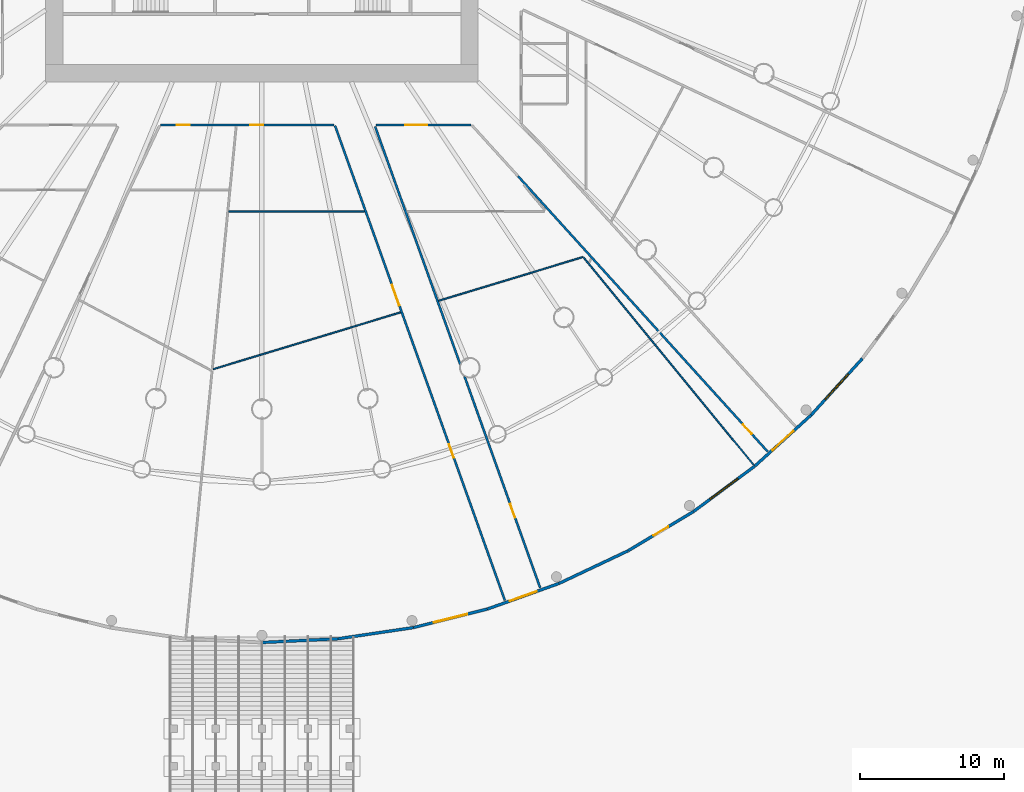
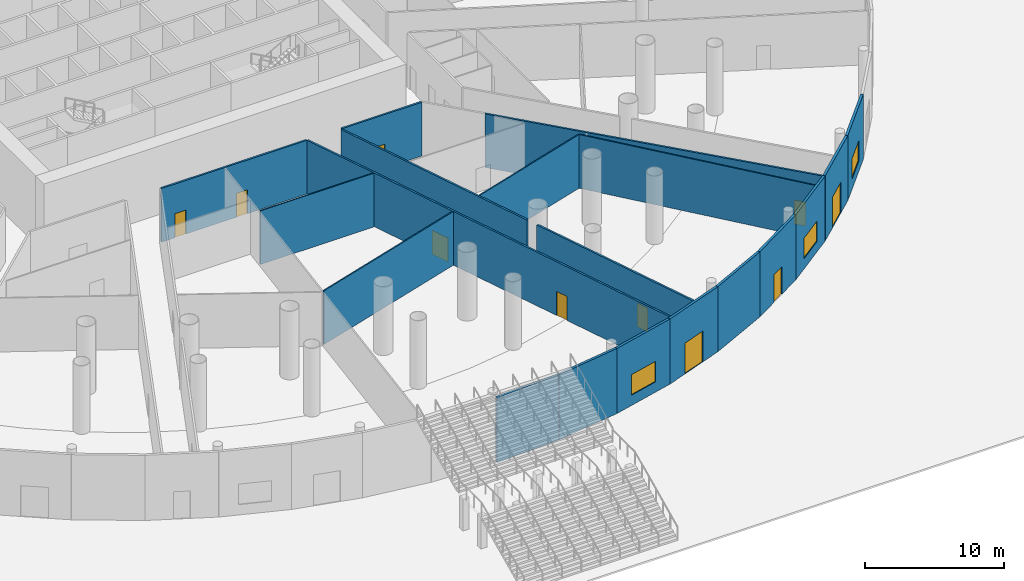
# One storey, part 15 of 33: 19 walls, 10 doors, 3 windows, 13 openings.
"""IFC4 building model written with IfcOpenShell, lengths in metres."""

from ifc_helpers import new_model, si_unit, direction, frame, frame_2d, origin, place, context, subcontext, project, spatial, rectangle, extrude, material, layer, layer_set, type_object, element, fill, save


model = new_model("IFC4")

# Units and contexts
model_context = context("Model", 3, precision=1e-05, world=origin(), true_north=direction((0.0, 1.0)))
body_context = subcontext(model_context, "Body", "Model", "MODEL_VIEW")
ifc_project = project(units=[si_unit("LENGTHUNIT", "METRE"), si_unit("AREAUNIT", "SQUARE_METRE"), si_unit("VOLUMEUNIT", "CUBIC_METRE"), si_unit("PLANEANGLEUNIT", "RADIAN"), si_unit("MASSUNIT", "GRAM", prefix="KILO")], contexts=[model_context])

# Site, building, storey
site_placement = place(None, origin())
site = spatial("IfcSite", under=ifc_project, at=site_placement, CompositionType="ELEMENT")
building_placement = place(site_placement, origin())
building = spatial("IfcBuilding", under=site, at=building_placement, Name="Corvane Civic Tower", CompositionType="ELEMENT")
storey_placement = place(building_placement, origin())
storey = spatial("IfcBuildingStorey", under=building, at=storey_placement, Name="G", CompositionType="ELEMENT", Elevation=0.0)

# Wall, opening, window
ifc_material_1 = material(Name="Limestone cladding", Category="masonry")
ifc_layer_1 = layer(ifc_material_1, 0.199951171875)
ifc_layer_set_1 = layer_set([ifc_layer_1], Name="Limestone cladding")
wall_type_1 = type_object("IfcWallType", Name="PODIUM-W-PLINTH-200", PredefinedType="SOLIDWALL", material=ifc_layer_set_1)
wall_1_placement = place(storey_placement, frame((41.661865234375, -34.197509765625, 0.0), z_axis=(0.0, 0.0, 1.0), x_axis=(-0.671548782045, -0.740960345318, 0.0)))
wall_1 = element("IfcWall", 1, at=wall_1_placement, inside=storey, type_object=wall_type_1, Name="Plinth stone wall 12B", PredefinedType="SOLIDWALL", context=body_context, shape_type="SweptSolid", body=[
    extrude(rectangle(XDim=5.279541015625, YDim=0.199951171875, at=frame_2d((2.6396484375, 0.0))), origin(), (0.0, 0.0, 1.0), 5.699951171875),
])
opening_1_placement = place(wall_1_placement, frame((1.439697265625, 0.0, 0.89990234375)))
opening_1 = element("IfcOpeningElement", 2, at=opening_1_placement, cuts=wall_1, Name="Opening EW-G-12", PredefinedType="OPENING", context=body_context, shape_type="SweptSolid", body=[
    extrude(rectangle(XDim=2.39990234375, YDim=1.800048828125, at=frame_2d((1.199951171875, 0.89990234375))), frame((0.0, 0.10986328125, 0.0), z_axis=(0.0, -1.0, 0.0), x_axis=(1.0, 0.0, 0.0)), (0.0, 0.0, 1.0), 0.219970703125),
])
ifc_material_2 = material(Name="Anodised aluminium and glass", Category="aluminium")
window_type = type_object("IfcWindowType", Name="PODIUM-WN-PLINTH-2400x1800", PartitioningType="DOUBLE_PANEL_VERTICAL", PredefinedType="WINDOW", material=ifc_material_2)
window_1_placement = place(opening_1_placement, origin())
window_1 = element("IfcWindow", 3, at=window_1_placement, inside=storey, type_object=window_type, Name="Public hall window 12", OverallHeight=1.800048828125, OverallWidth=2.39990234375, PartitioningType="SINGLE_PANEL", PredefinedType="WINDOW", context=body_context, shape_type="SweptSolid", body=[
    extrude(rectangle(XDim=2.39990234375, YDim=1.800048828125, at=frame_2d((1.199951171875, 0.89990234375))), frame((0.0, 0.030029296875, 0.0), z_axis=(0.0, -1.0, 0.0), x_axis=(1.0, 0.0, 0.0)), (0.0, 0.0, 1.0), 0.06005859375),
])
fill(opening_1, window_1)

# Wall, opening, door
wall_2_placement = place(storey_placement, frame((38.109375, -38.116455078125, 0.0), z_axis=(0.0, 0.0, 1.0), x_axis=(-0.740960345318, -0.671548782045, 0.0)))
wall_2 = element("IfcWall", 4, at=wall_2_placement, inside=storey, type_object=wall_type_1, Name="Plinth stone wall 13A", PredefinedType="SOLIDWALL", context=body_context, shape_type="SweptSolid", body=[
    extrude(rectangle(XDim=5.279541015625, YDim=0.199951171875, at=frame_2d((2.6396484375, 0.0))), origin(), (0.0, 0.0, 1.0), 5.699951171875),
])
opening_2_placement = place(wall_2_placement, frame((1.6396484375, 0.0, 0.0)))
opening_2 = element("IfcOpeningElement", 5, at=opening_2_placement, cuts=wall_2, Name="Opening ED-G-X13", PredefinedType="OPENING", context=body_context, shape_type="SweptSolid", body=[
    extrude(rectangle(XDim=2.0, YDim=2.699951171875, at=frame_2d((1.0, 1.35009765625))), frame((0.0, 0.10986328125, 0.0), z_axis=(0.0, -1.0, 0.0), x_axis=(1.0, 0.0, 0.0)), (0.0, 0.0, 1.0), 0.219970703125),
])
ifc_material_3 = material(Name="Anodised aluminium and glass", Category="aluminium")
door_type_1 = type_object("IfcDoorType", Name="PODIUM-D-EXIT-2000", OperationType="DOUBLE_DOOR_SINGLE_SWING", PredefinedType="DOOR", material=ifc_material_3)
door_1_placement = place(opening_2_placement, origin())
door_1 = element("IfcDoor", 6, at=door_1_placement, inside=storey, type_object=door_type_1, Name="Exit door 13", OperationType="DOUBLE_DOOR_SINGLE_SWING", OverallHeight=2.699951171875, OverallWidth=2.0, PredefinedType="DOOR", context=body_context, shape_type="SweptSolid", body=[
    extrude(rectangle(XDim=2.0, YDim=2.699951171875, at=frame_2d((1.0, 1.35009765625))), frame((0.0, 0.02490234375, 0.0), z_axis=(0.0, -1.0, 0.0), x_axis=(1.0, 0.0, 0.0)), (0.0, 0.0, 1.0), 0.050048828125),
])
fill(opening_2, door_1)

# Wall, opening, window
wall_3_placement = place(storey_placement, frame((34.189697265625, -41.668212890625, 0.0), z_axis=(0.0, 0.0, 1.0), x_axis=(-0.803223646903, -0.595677574746, 0.0)))
wall_3 = element("IfcWall", 7, at=wall_3_placement, inside=storey, type_object=wall_type_1, Name="Plinth stone wall 13B", PredefinedType="SOLIDWALL", context=body_context, shape_type="SweptSolid", body=[
    extrude(rectangle(XDim=5.279296875, YDim=0.199951171875, at=frame_2d((2.6396484375, 0.0))), origin(), (0.0, 0.0, 1.0), 5.699951171875),
])
opening_3_placement = place(wall_3_placement, frame((1.439697265625, 0.0, 0.89990234375)))
opening_3 = element("IfcOpeningElement", 8, at=opening_3_placement, cuts=wall_3, Name="Opening EW-G-13", PredefinedType="OPENING", context=body_context, shape_type="SweptSolid", body=[
    extrude(rectangle(XDim=2.39990234375, YDim=1.800048828125, at=frame_2d((1.199951171875, 0.89990234375))), frame((0.0, 0.10986328125, 0.0), z_axis=(0.0, -1.0, 0.0), x_axis=(1.0, 0.0, 0.0)), (0.0, 0.0, 1.0), 0.219970703125),
])
window_2_placement = place(opening_3_placement, origin())
window_2 = element("IfcWindow", 9, at=window_2_placement, inside=storey, type_object=window_type, Name="Public hall window 13", OverallHeight=1.800048828125, OverallWidth=2.39990234375, PartitioningType="SINGLE_PANEL", PredefinedType="WINDOW", context=body_context, shape_type="SweptSolid", body=[
    extrude(rectangle(XDim=2.39990234375, YDim=1.800048828125, at=frame_2d((1.199951171875, 0.89990234375))), frame((0.0, 0.030029296875, 0.0), z_axis=(0.0, -1.0, 0.0), x_axis=(1.0, 0.0, 0.0)), (0.0, 0.0, 1.0), 0.06005859375),
])
fill(opening_3, window_2)

# Wall, opening, door
wall_4_placement = place(storey_placement, frame((29.940673828125, -44.81884765625, 0.0), z_axis=(0.0, 0.0, 1.0), x_axis=(-0.857721349929, -0.514114856697, 0.0)))
wall_4 = element("IfcWall", 10, at=wall_4_placement, inside=storey, type_object=wall_type_1, Name="Plinth stone wall 14A", PredefinedType="SOLIDWALL", context=body_context, shape_type="SweptSolid", body=[
    extrude(rectangle(XDim=5.279296875, YDim=0.199951171875, at=frame_2d((2.6396484375, 0.0))), origin(), (0.0, 0.0, 1.0), 5.699951171875),
])
opening_4_placement = place(wall_4_placement, frame((2.039794921875, 0.0, 0.0)))
opening_4 = element("IfcOpeningElement", 11, at=opening_4_placement, cuts=wall_4, Name="Opening ED-G-S14", PredefinedType="OPENING", context=body_context, shape_type="SweptSolid", body=[
    extrude(rectangle(XDim=1.199951171875, YDim=2.39990234375, at=frame_2d((0.60009765625, 1.199951171875))), frame((0.0, 0.10986328125, 0.0), z_axis=(0.0, -1.0, 0.0), x_axis=(1.0, 0.0, 0.0)), (0.0, 0.0, 1.0), 0.219970703125),
])
ifc_material_4 = material(Name="Galvanised steel", Category="steel")
door_type_2 = type_object("IfcDoorType", Name="PODIUM-D-SERVICE-1200", OperationType="SINGLE_SWING_LEFT", PredefinedType="DOOR", material=ifc_material_4)
door_2_placement = place(opening_4_placement, origin())
door_2 = element("IfcDoor", 12, at=door_2_placement, inside=storey, type_object=door_type_2, Name="Service door 14", OperationType="SINGLE_SWING_LEFT", OverallHeight=2.39990234375, OverallWidth=1.199951171875, PredefinedType="DOOR", context=body_context, shape_type="SweptSolid", body=[
    extrude(rectangle(XDim=1.199951171875, YDim=2.39990234375, at=frame_2d((0.60009765625, 1.199951171875))), frame((0.0, 0.02490234375, 0.0), z_axis=(0.0, -1.0, 0.0), x_axis=(1.0, 0.0, 0.0)), (0.0, 0.0, 1.0), 0.050048828125),
])
fill(opening_4, door_2)

# Wall
wall_5_placement = place(storey_placement, frame((25.403564453125, -47.53759765625, 0.0), z_axis=(0.0, 0.0, 1.0), x_axis=(-0.903998505851, -0.427535614211, 0.0)))
element("IfcWall", 13, at=wall_5_placement, inside=storey, type_object=wall_type_1, Name="Plinth stone wall 14B", PredefinedType="SOLIDWALL", context=body_context, shape_type="SweptSolid", body=[
    extrude(rectangle(XDim=5.279296875, YDim=0.199951171875, at=frame_2d((2.6396484375, 0.0))), origin(), (0.0, 0.0, 1.0), 5.699951171875),
])

# Wall, opening, door
wall_6_placement = place(storey_placement, frame((20.62158203125, -49.798583984375, 0.0), z_axis=(0.0, 0.0, 1.0), x_axis=(-0.941528288028, -0.336933944331, 0.0)))
wall_6 = element("IfcWall", 14, at=wall_6_placement, inside=storey, type_object=wall_type_1, Name="Plinth stone wall 15A", PredefinedType="SOLIDWALL", context=body_context, shape_type="SweptSolid", body=[
    extrude(rectangle(XDim=5.279296875, YDim=0.199951171875, at=frame_2d((2.6396484375, 0.0))), origin(), (0.0, 0.0, 1.0), 5.699951171875),
])
opening_5_placement = place(wall_6_placement, frame((1.6396484375, 0.0, 0.0)))
opening_5 = element("IfcOpeningElement", 15, at=opening_5_placement, cuts=wall_6, Name="Opening ED-G-X15", PredefinedType="OPENING", context=body_context, shape_type="SweptSolid", body=[
    extrude(rectangle(XDim=2.0, YDim=2.699951171875, at=frame_2d((1.0, 1.35009765625))), frame((0.0, 0.10986328125, 0.0), z_axis=(0.0, -1.0, 0.0), x_axis=(1.0, 0.0, 0.0)), (0.0, 0.0, 1.0), 0.219970703125),
])
door_3_placement = place(opening_5_placement, origin())
door_3 = element("IfcDoor", 16, at=door_3_placement, inside=storey, type_object=door_type_1, Name="Exit door 15", OperationType="DOUBLE_DOOR_SINGLE_SWING", OverallHeight=2.699951171875, OverallWidth=2.0, PredefinedType="DOOR", context=body_context, shape_type="SweptSolid", body=[
    extrude(rectangle(XDim=2.0, YDim=2.699951171875, at=frame_2d((1.0, 1.35009765625))), frame((0.0, 0.02490234375, 0.0), z_axis=(0.0, -1.0, 0.0), x_axis=(1.0, 0.0, 0.0)), (0.0, 0.0, 1.0), 0.050048828125),
])
fill(opening_5, door_3)

# Wall, opening, window
wall_7_placement = place(storey_placement, frame((15.641357421875, -51.580078125, 0.0), z_axis=(0.0, 0.0, 1.0), x_axis=(-0.970022690602, -0.243014361132, 0.0)))
wall_7 = element("IfcWall", 17, at=wall_7_placement, inside=storey, type_object=wall_type_1, Name="Plinth stone wall 15B", PredefinedType="SOLIDWALL", context=body_context, shape_type="SweptSolid", body=[
    extrude(rectangle(XDim=5.279296875, YDim=0.199951171875, at=frame_2d((2.6396484375, 0.0))), origin(), (0.0, 0.0, 1.0), 5.699951171875),
])
opening_6_placement = place(wall_7_placement, frame((1.439697265625, 0.0, 0.89990234375)))
opening_6 = element("IfcOpeningElement", 18, at=opening_6_placement, cuts=wall_7, Name="Opening EW-G-15", PredefinedType="OPENING", context=body_context, shape_type="SweptSolid", body=[
    extrude(rectangle(XDim=2.39990234375, YDim=1.800048828125, at=frame_2d((1.199951171875, 0.89990234375))), frame((0.0, 0.10986328125, 0.0), z_axis=(0.0, -1.0, 0.0), x_axis=(1.0, 0.0, 0.0)), (0.0, 0.0, 1.0), 0.219970703125),
])
window_3_placement = place(opening_6_placement, origin())
window_3 = element("IfcWindow", 19, at=window_3_placement, inside=storey, type_object=window_type, Name="Public hall window 15", OverallHeight=1.800048828125, OverallWidth=2.39990234375, PartitioningType="SINGLE_PANEL", PredefinedType="WINDOW", context=body_context, shape_type="SweptSolid", body=[
    extrude(rectangle(XDim=2.39990234375, YDim=1.800048828125, at=frame_2d((1.199951171875, 0.89990234375))), frame((0.0, 0.030029296875, 0.0), z_axis=(0.0, -1.0, 0.0), x_axis=(1.0, 0.0, 0.0)), (0.0, 0.0, 1.0), 0.06005859375),
])
fill(opening_6, window_3)

# Walls
for number, where, z_axis, x_axis, name in (
    (20, (10.51025390625, -52.864990234375, 0.0), (0.0, 0.0, 1.0), (-0.989175884212, -0.146734692875, 0.0), "Plinth stone wall 16A"),
    (21, (5.278076171875, -53.640625, 0.0), (0.0, 0.0, 1.0), (-0.998795550715, -0.0490657505, 0.0), "Plinth stone wall 16B"),
):
    element("IfcWall", number, at=place(storey_placement, frame(where, z_axis=z_axis, x_axis=x_axis)), inside=storey, type_object=wall_type_1, Name=name, PredefinedType="SOLIDWALL", context=body_context, shape_type="SweptSolid", body=[
        extrude(rectangle(XDim=5.279296875, YDim=0.199951171875, at=frame_2d((2.6396484375, 0.0))), origin(), (0.0, 0.0, 1.0), 5.699951171875),
    ])
ifc_material_5 = material(Name="Plasterboard")
ifc_layer_2 = layer(ifc_material_5, 0.10009765625)
ifc_layer_set_2 = layer_set([ifc_layer_2], Name="Plasterboard")
wall_type_2 = type_object("IfcWallType", Name="Partition 100 plasterboard on studs", PredefinedType="PARTITIONING", material=ifc_layer_set_2)
wall_8_placement = place(storey_placement, frame((22.305908203125, -27.1796875, 0.0), z_axis=(0.0, 0.0, 1.0), x_axis=(0.634389263916, -0.773013752677, 0.0)))
element("IfcWall", 22, at=wall_8_placement, inside=storey, type_object=wall_type_2, Name="Partition G.006", PredefinedType="PARTITIONING", context=body_context, shape_type="SweptSolid", body=[
    extrude(rectangle(XDim=18.589111328125, YDim=0.10009765625, at=frame_2d((9.29443359375, 0.0))), origin(), (0.0, 0.0, 1.0), 4.699951171875),
])
wall_9_placement = place(storey_placement, frame((-3.37158203125, -34.936767578125, 0.0), z_axis=(0.0, 0.0, 1.0), x_axis=(0.956937743328, 0.290293223127, 0.0)))
element("IfcWall", 23, at=wall_9_placement, inside=storey, type_object=wall_type_2, Name="Partition G.012", PredefinedType="PARTITIONING", context=body_context, shape_type="SweptSolid", body=[
    extrude(rectangle(XDim=13.583251953125, YDim=0.10009765625, at=frame_2d((6.79150390625, 0.0))), origin(), (0.0, 0.0, 1.0), 4.699951171875),
])
wall_10_placement = place(storey_placement, frame((12.26611328125, -30.193115234375, 0.0), z_axis=(0.0, 0.0, 1.0), x_axis=(0.956942909737, 0.290276191762, 0.0)))
element("IfcWall", 24, at=wall_10_placement, inside=storey, type_object=wall_type_2, Name="Partition G.017", PredefinedType="PARTITIONING", context=body_context, shape_type="SweptSolid", body=[
    extrude(rectangle(XDim=10.435791015625, YDim=0.10009765625, at=frame_2d((5.2177734375, 0.0))), origin(), (0.0, 0.0, 1.0), 4.699951171875),
])
wall_11_placement = place(storey_placement, frame((-2.30859375, -24.0, 0.0), z_axis=(0.0, 0.0, 1.0), x_axis=(1.0, 0.0, 0.0)))
element("IfcWall", 25, at=wall_11_placement, inside=storey, type_object=wall_type_2, Name="Partition G.023", PredefinedType="PARTITIONING", context=body_context, shape_type="SweptSolid", body=[
    extrude(rectangle(XDim=9.417724609375, YDim=0.10009765625, at=frame_2d((4.708984375, 0.0))), origin(), (0.0, 0.0, 1.0), 4.699951171875),
])

# Wall, openings, doors
ifc_material_6 = material(Name="Plasterboard")
ifc_layer_3 = layer(ifc_material_6, 0.14990234375)
ifc_layer_set_3 = layer_set([ifc_layer_3], Name="Plasterboard")
wall_type_3 = type_object("IfcWallType", Name="Tenancy wall 150 EI 60", PredefinedType="PARTITIONING", material=ifc_layer_set_3)
wall_12_placement = place(storey_placement, frame((5.07763671875, -18.0498046875, 0.0), z_axis=(0.0, 0.0, 1.0), x_axis=(0.336889449842, -0.941544209576, 0.0)))
wall_12 = element("IfcWall", 26, at=wall_12_placement, inside=storey, type_object=wall_type_3, Name="Partition G.002", PredefinedType="PARTITIONING", context=body_context, shape_type="SweptSolid", body=[
    extrude(rectangle(XDim=34.97998046875, YDim=0.14990234375, at=frame_2d((17.489990234375, 0.0))), origin(), (0.0, 0.0, 1.0), 4.699951171875),
])
opening_7_placement = place(wall_12_placement, frame((23.458251953125, 0.0, 0.0)))
opening_7 = element("IfcOpeningElement", 27, at=opening_7_placement, cuts=wall_12, Name="Opening G.020", PredefinedType="OPENING", context=body_context, shape_type="SweptSolid", body=[
    extrude(rectangle(XDim=1.0, YDim=2.10009765625, at=frame_2d((0.5, 1.050048828125))), frame((0.0, 0.0849609375, 0.0), z_axis=(0.0, -1.0, 0.0), x_axis=(1.0, 0.0, 0.0)), (0.0, 0.0, 1.0), 0.169921875),
])
opening_8_placement = place(wall_12_placement, frame((11.735107421875, 0.0, 0.0)))
opening_8 = element("IfcOpeningElement", 28, at=opening_8_placement, cuts=wall_12, Name="Opening G.022", PredefinedType="OPENING", context=body_context, shape_type="SweptSolid", body=[
    extrude(rectangle(XDim=1.5, YDim=2.10009765625, at=frame_2d((0.75, 1.050048828125))), frame((0.0, 0.0849609375, 0.0), z_axis=(0.0, -1.0, 0.0), x_axis=(1.0, 0.0, 0.0)), (0.0, 0.0, 1.0), 0.169921875),
])
ifc_material_7 = material(Name="Steel and timber", Category="steel")
door_type_3 = type_object("IfcDoorType", Name="Fire door FD30S 1000", OperationType="NOTDEFINED", PredefinedType="DOOR", material=ifc_material_7)
door_4_placement = place(opening_7_placement, frame((1.0, 0.0, 0.0), z_axis=(0.0, 0.0, 1.0), x_axis=(-1.0, 0.0, 0.0)))
door_4 = element("IfcDoor", 29, at=door_4_placement, inside=storey, type_object=door_type_3, Name="Door G.020", OperationType="SINGLE_SWING_LEFT", OverallHeight=2.10009765625, OverallWidth=1.0, PredefinedType="DOOR", context=body_context, shape_type="SweptSolid", body=[
    extrude(rectangle(XDim=1.0, YDim=2.10009765625, at=frame_2d((0.5, 1.050048828125))), frame((0.0, 0.02490234375, 0.0), z_axis=(0.0, -1.0, 0.0), x_axis=(1.0, 0.0, 0.0)), (0.0, 0.0, 1.0), 0.050048828125),
])
fill(opening_7, door_4)
ifc_material_8 = material(Name="Steel and timber", Category="steel")
door_type_4 = type_object("IfcDoorType", Name="Fire door FD60 double 1500", OperationType="NOTDEFINED", PredefinedType="DOOR", material=ifc_material_8)
door_5_placement = place(opening_8_placement, frame((1.5, 0.0, 0.0), z_axis=(0.0, 0.0, 1.0), x_axis=(-1.0, 0.0, 0.0)))
door_5 = element("IfcDoor", 30, at=door_5_placement, inside=storey, type_object=door_type_4, Name="Door G.022", OperationType="DOUBLE_DOOR_SINGLE_SWING", OverallHeight=2.10009765625, OverallWidth=1.5, PredefinedType="DOOR", context=body_context, shape_type="SweptSolid", body=[
    extrude(rectangle(XDim=1.5, YDim=2.10009765625, at=frame_2d((0.75, 1.050048828125))), frame((0.0, 0.02490234375, 0.0), z_axis=(0.0, -1.0, 0.0), x_axis=(1.0, 0.0, 0.0)), (0.0, 0.0, 1.0), 0.050048828125),
])
fill(opening_8, door_5)

# Wall, opening, door
wall_13_placement = place(storey_placement, frame((14.060302734375, -35.437255859375, 0.0), z_axis=(0.0, 0.0, 1.0), x_axis=(0.336899092264, -0.941540759411, 0.0)))
wall_13 = element("IfcWall", 31, at=wall_13_placement, inside=storey, type_object=wall_type_3, Name="Partition G.003", PredefinedType="PARTITIONING", context=body_context, shape_type="SweptSolid", body=[
    extrude(rectangle(XDim=15.58251953125, YDim=0.14990234375, at=frame_2d((7.791259765625, 0.0))), origin(), (0.0, 0.0, 1.0), 4.699951171875),
])
opening_9_placement = place(wall_13_placement, frame((9.405517578125, 0.0, 0.0)))
opening_9 = element("IfcOpeningElement", 32, at=opening_9_placement, cuts=wall_13, Name="Opening G.021", PredefinedType="OPENING", context=body_context, shape_type="SweptSolid", body=[
    extrude(rectangle(XDim=1.0, YDim=2.10009765625, at=frame_2d((0.5, 1.050048828125))), frame((0.0, 0.0849609375, 0.0), z_axis=(0.0, -1.0, 0.0), x_axis=(1.0, 0.0, 0.0)), (0.0, 0.0, 1.0), 0.169921875),
])
door_6_placement = place(opening_9_placement, origin())
door_6 = element("IfcDoor", 33, at=door_6_placement, inside=storey, type_object=door_type_3, Name="Door G.021", OperationType="SINGLE_SWING_RIGHT", OverallHeight=2.10009765625, OverallWidth=1.0, PredefinedType="DOOR", context=body_context, shape_type="SweptSolid", body=[
    extrude(rectangle(XDim=1.0, YDim=2.10009765625, at=frame_2d((0.5, 1.050048828125))), frame((0.0, 0.02490234375, 0.0), z_axis=(0.0, -1.0, 0.0), x_axis=(1.0, 0.0, 0.0)), (0.0, 0.0, 1.0), 0.050048828125),
])
fill(opening_9, door_6)

wall_14_placement = place(storey_placement, frame((17.768310546875, -21.5400390625, 0.0), z_axis=(0.0, 0.0, 1.0), x_axis=(0.671559214453, -0.740950890062, 0.0)))
wall_14 = element("IfcWall", 34, at=wall_14_placement, inside=storey, type_object=wall_type_3, Name="Partition G.007", PredefinedType="PARTITIONING", context=body_context, shape_type="SweptSolid", body=[
    extrude(rectangle(XDim=25.792724609375, YDim=0.14990234375, at=frame_2d((12.896484375, 0.0))), origin(), (0.0, 0.0, 1.0), 4.699951171875),
])
opening_10_placement = place(wall_14_placement, frame((23.25146484375, 0.0, 0.0)))
opening_10 = element("IfcOpeningElement", 35, at=opening_10_placement, cuts=wall_14, Name="Opening G.011", PredefinedType="OPENING", context=body_context, shape_type="SweptSolid", body=[
    extrude(rectangle(XDim=0.89990234375, YDim=2.10009765625, at=frame_2d((0.449951171875, 1.050048828125))), frame((0.0, 0.0849609375, 0.0), z_axis=(0.0, -1.0, 0.0), x_axis=(1.0, 0.0, 0.0)), (0.0, 0.0, 1.0), 0.169921875),
])
ifc_material_9 = material(Name="Steel and timber", Category="steel")
door_type_5 = type_object("IfcDoorType", Name="Fire door FD30S 900", OperationType="NOTDEFINED", PredefinedType="DOOR", material=ifc_material_9)
door_7_placement = place(opening_10_placement, frame((0.89990234375, 0.0, 0.0), z_axis=(0.0, 0.0, 1.0), x_axis=(-1.0, 0.0, 0.0)))
door_7 = element("IfcDoor", 36, at=door_7_placement, inside=storey, type_object=door_type_5, Name="Door G.011", OperationType="SINGLE_SWING_LEFT", OverallHeight=2.10009765625, OverallWidth=0.89990234375, PredefinedType="DOOR", context=body_context, shape_type="SweptSolid", body=[
    extrude(rectangle(XDim=0.89990234375, YDim=2.10009765625, at=frame_2d((0.449951171875, 1.050048828125))), frame((0.0, 0.02490234375, 0.0), z_axis=(0.0, -1.0, 0.0), x_axis=(1.0, 0.0, 0.0)), (0.0, 0.0, 1.0), 0.050048828125),
])
fill(opening_10, door_7)

# Wall
wall_15_placement = place(storey_placement, frame((7.857177734375, -18.100341796875, 0.0), z_axis=(0.0, 0.0, 1.0), x_axis=(0.336881959449, -0.941546889644, 0.0)))
element("IfcWall", 37, at=wall_15_placement, inside=storey, type_object=wall_type_3, Name="Partition G.014", PredefinedType="PARTITIONING", context=body_context, shape_type="SweptSolid", body=[
    extrude(rectangle(XDim=17.517578125, YDim=0.14990234375, at=frame_2d((8.7587890625, 0.0))), origin(), (0.0, 0.0, 1.0), 4.699951171875),
])

# Wall, openings, doors
wall_16_placement = place(storey_placement, frame((-7.02783203125, -18.0, 0.0), z_axis=(0.0, 0.0, 1.0), x_axis=(1.0, 0.0, 0.0)))
wall_16 = element("IfcWall", 38, at=wall_16_placement, inside=storey, type_object=wall_type_3, Name="Partition G.036", PredefinedType="PARTITIONING", context=body_context, shape_type="SweptSolid", body=[
    extrude(rectangle(XDim=12.034912109375, YDim=0.14990234375, at=frame_2d((6.017578125, 0.0))), origin(), (0.0, 0.0, 1.0), 4.699951171875),
])
opening_11_placement = place(wall_16_placement, frame((6.214111328125, 0.0, 0.0)))
opening_11 = element("IfcOpeningElement", 39, at=opening_11_placement, cuts=wall_16, Name="Opening G.025", PredefinedType="OPENING", context=body_context, shape_type="SweptSolid", body=[
    extrude(rectangle(XDim=0.89990234375, YDim=2.10009765625, at=frame_2d((0.449951171875, 1.050048828125))), frame((0.0, 0.0849609375, 0.0), z_axis=(0.0, -1.0, 0.0), x_axis=(1.0, 0.0, 0.0)), (0.0, 0.0, 1.0), 0.169921875),
])
opening_12_placement = place(wall_16_placement, frame((1.11328125, 0.0, 0.0)))
opening_12 = element("IfcOpeningElement", 40, at=opening_12_placement, cuts=wall_16, Name="Opening G.032", PredefinedType="OPENING", context=body_context, shape_type="SweptSolid", body=[
    extrude(rectangle(XDim=0.89990234375, YDim=2.10009765625, at=frame_2d((0.449951171875, 1.050048828125))), frame((0.0, 0.0849609375, 0.0), z_axis=(0.0, -1.0, 0.0), x_axis=(1.0, 0.0, 0.0)), (0.0, 0.0, 1.0), 0.169921875),
])
door_8_placement = place(opening_11_placement, frame((0.89990234375, 0.0, 0.0), z_axis=(0.0, 0.0, 1.0), x_axis=(-1.0, 0.0, 0.0)))
door_8 = element("IfcDoor", 41, at=door_8_placement, inside=storey, type_object=door_type_5, Name="Door G.025", OperationType="SINGLE_SWING_LEFT", OverallHeight=2.10009765625, OverallWidth=0.89990234375, PredefinedType="DOOR", context=body_context, shape_type="SweptSolid", body=[
    extrude(rectangle(XDim=0.89990234375, YDim=2.10009765625, at=frame_2d((0.449951171875, 1.050048828125))), frame((0.0, 0.02490234375, 0.0), z_axis=(0.0, -1.0, 0.0), x_axis=(1.0, 0.0, 0.0)), (0.0, 0.0, 1.0), 0.050048828125),
])
fill(opening_11, door_8)
door_9_placement = place(opening_12_placement, frame((0.89990234375, 0.0, 0.0), z_axis=(0.0, 0.0, 1.0), x_axis=(-1.0, 0.0, 0.0)))
door_9 = element("IfcDoor", 42, at=door_9_placement, inside=storey, type_object=door_type_5, Name="Door G.032", OperationType="SINGLE_SWING_LEFT", OverallHeight=2.10009765625, OverallWidth=0.89990234375, PredefinedType="DOOR", context=body_context, shape_type="SweptSolid", body=[
    extrude(rectangle(XDim=0.89990234375, YDim=2.10009765625, at=frame_2d((0.449951171875, 1.050048828125))), frame((0.0, 0.02490234375, 0.0), z_axis=(0.0, -1.0, 0.0), x_axis=(1.0, 0.0, 0.0)), (0.0, 0.0, 1.0), 0.050048828125),
])
fill(opening_12, door_9)

# Wall, opening, door
wall_17_placement = place(storey_placement, frame((7.927734375, -18.0, 0.0), z_axis=(0.0, 0.0, 1.0), x_axis=(1.0, 0.0, 0.0)))
wall_17 = element("IfcWall", 43, at=wall_17_placement, inside=storey, type_object=wall_type_3, Name="Partition G.037", PredefinedType="PARTITIONING", context=body_context, shape_type="SweptSolid", body=[
    extrude(rectangle(XDim=6.598876953125, YDim=0.14990234375, at=frame_2d((3.29931640625, 0.0))), origin(), (0.0, 0.0, 1.0), 4.699951171875),
])
opening_13_placement = place(wall_17_placement, frame((2.02978515625, 0.0, 0.0)))
opening_13 = element("IfcOpeningElement", 44, at=opening_13_placement, cuts=wall_17, Name="Opening G.024", PredefinedType="OPENING", context=body_context, shape_type="SweptSolid", body=[
    extrude(rectangle(XDim=1.5, YDim=2.10009765625, at=frame_2d((0.75, 1.050048828125))), frame((0.0, 0.0849609375, 0.0), z_axis=(0.0, -1.0, 0.0), x_axis=(1.0, 0.0, 0.0)), (0.0, 0.0, 1.0), 0.169921875),
])
door_10_placement = place(opening_13_placement, frame((1.5, 0.0, 0.0), z_axis=(0.0, 0.0, 1.0), x_axis=(-1.0, 0.0, 0.0)))
door_10 = element("IfcDoor", 45, at=door_10_placement, inside=storey, type_object=door_type_4, Name="Door G.024", OperationType="DOUBLE_DOOR_SINGLE_SWING", OverallHeight=2.10009765625, OverallWidth=1.5, PredefinedType="DOOR", context=body_context, shape_type="SweptSolid", body=[
    extrude(rectangle(XDim=1.5, YDim=2.10009765625, at=frame_2d((0.75, 1.050048828125))), frame((0.0, 0.02490234375, 0.0), z_axis=(0.0, -1.0, 0.0), x_axis=(1.0, 0.0, 0.0)), (0.0, 0.0, 1.0), 0.050048828125),
])
fill(opening_13, door_10)

save(model, "model.ifc")
